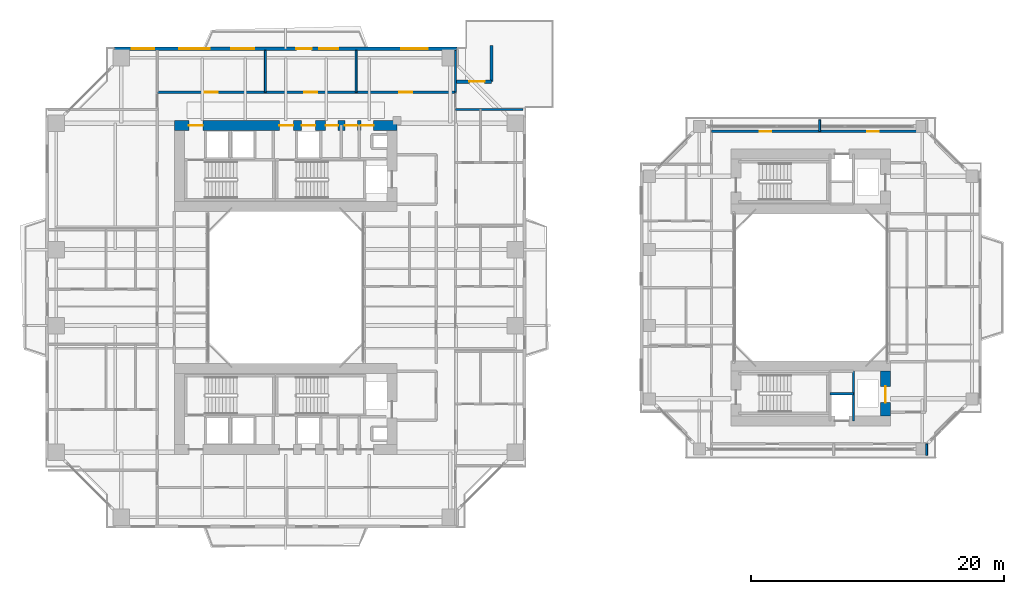
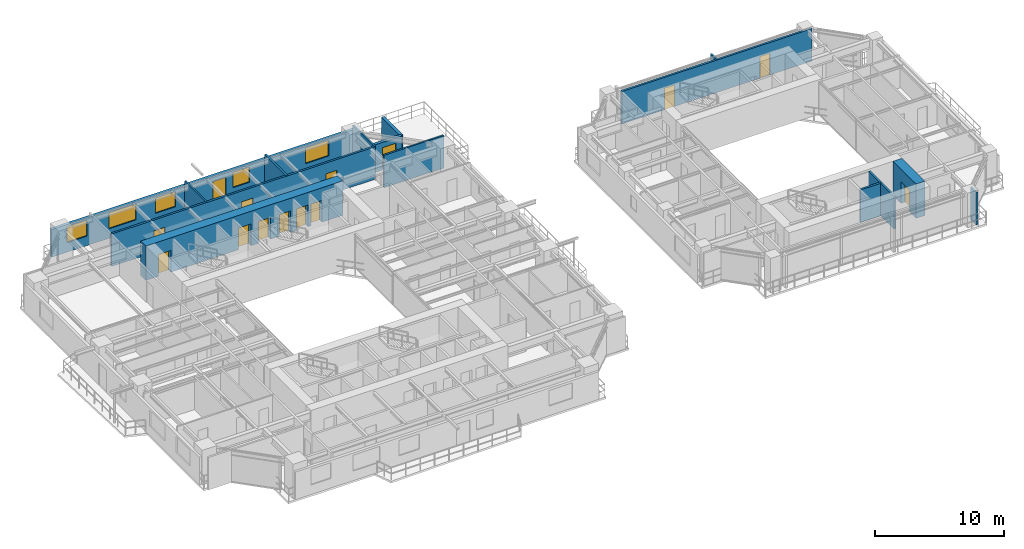
# One storey, part 17 of 23: 15 walls, 14 doors, 5 windows, 19 openings.
"""IFC4 building model written with IfcOpenShell, lengths in metres."""

from ifc_helpers import new_model, si_unit, direction, frame, frame_2d, origin, place, context, subcontext, project, spatial, rectangle, extrude, source, transform, mapped, material, layer, layer_set, type_object, element, fill, save


model = new_model("IFC4")

# Units and contexts
model_context = context("Model", 3, precision=1e-05, world=origin(), true_north=direction((0.0, 1.0)))
body_context = subcontext(model_context, "Body", "Model", "MODEL_VIEW")
ifc_project = project(units=[si_unit("LENGTHUNIT", "METRE"), si_unit("AREAUNIT", "SQUARE_METRE"), si_unit("VOLUMEUNIT", "CUBIC_METRE"), si_unit("PLANEANGLEUNIT", "RADIAN"), si_unit("MASSUNIT", "GRAM", prefix="KILO"), si_unit("THERMODYNAMICTEMPERATUREUNIT", "KELVIN"), si_unit("POWERUNIT", "WATT")], contexts=[model_context])

# Site, building, storey
site_placement = place(None, origin())
site = spatial("IfcSite", under=ifc_project, at=site_placement, CompositionType="ELEMENT")
building_placement = place(site_placement, origin())
building = spatial("IfcBuilding", under=site, at=building_placement, Name="Qiaomeng Ring Towers", CompositionType="ELEMENT")
storey_placement = place(building_placement, frame((0.0, 0.0, 32.75)))
storey = spatial("IfcBuildingStorey", under=building, at=storey_placement, Name="L08", CompositionType="ELEMENT", Elevation=32.75)

# Wall, openings, windows, door
ifc_material_1 = material(Name="Precast concrete C40", Category="concrete")
ifc_layer_1 = layer(ifc_material_1, 0.25, Name="Precast concrete C40")
ifc_layer_set_1 = layer_set([ifc_layer_1], Name="Precast concrete C40")
wall_type_1 = type_object("IfcWallType", Name="ARC-WL-EW1", PredefinedType="STANDARD", material=ifc_layer_set_1)
wall_1_placement = place(storey_placement, frame((5.449951171875, 41.875, 0.0), z_axis=(0.0, 0.0, 1.0), x_axis=(1.0, 0.0, 0.0)))
wall_1 = element("IfcWall", 1, at=wall_1_placement, inside=storey, type_object=wall_type_1, Name="L08 Tower 1 N Exterior Wall", PredefinedType="STANDARD", context=body_context, shape_type="SweptSolid", body=[
    extrude(rectangle(XDim=27.10009765625, YDim=0.25, at=frame_2d((13.550048828125, 0.0))), origin(), (0.0, 0.0, 1.0), 2.610107421875),
])
opening_1_placement = place(wall_1_placement, frame((14.39990234375, 0.0, 0.0)))
opening_1 = element("IfcOpeningElement", 2, at=opening_1_placement, cuts=wall_1, Name="Opening BD1", PredefinedType="OPENING", context=body_context, shape_type="SweptSolid", body=[
    extrude(rectangle(XDim=1.199951171875, YDim=2.10009765625, at=frame_2d((0.60009765625, 1.050048828125))), frame((0.0, 0.135009765625, 0.0), z_axis=(0.0, -1.0, 0.0), x_axis=(1.0, 0.0, 0.0)), (0.0, 0.0, 1.0), 0.27001953125),
])
opening_2_placement = place(wall_1_placement, frame((1.364990234375, 0.0, 0.89990234375)))
opening_2 = element("IfcOpeningElement", 3, at=opening_2_placement, cuts=wall_1, Name="Opening WN1", PredefinedType="OPENING", context=body_context, shape_type="SweptSolid", body=[
    extrude(rectangle(XDim=1.800048828125, YDim=1.5, at=frame_2d((0.89990234375, 0.75))), frame((0.0, 0.135009765625, 0.0), z_axis=(0.0, -1.0, 0.0), x_axis=(1.0, 0.0, 0.0)), (0.0, 0.0, 1.0), 0.27001953125),
])
opening_3_placement = place(wall_1_placement, frame((9.262939453125, 0.0, 0.89990234375)))
opening_3 = element("IfcOpeningElement", 4, at=opening_3_placement, cuts=wall_1, Name="Opening WN1", PredefinedType="OPENING", context=body_context, shape_type="SweptSolid", body=[
    extrude(rectangle(XDim=1.800048828125, YDim=1.449951171875, at=frame_2d((0.89990234375, 0.72509765625))), frame((0.0, 0.135009765625, 0.0), z_axis=(0.0, -1.0, 0.0), x_axis=(1.0, 0.0, 0.0)), (0.0, 0.0, 1.0), 0.27001953125),
])
opening_4_placement = place(wall_1_placement, frame((16.18798828125, 0.0, 0.89990234375)))
opening_4 = element("IfcOpeningElement", 5, at=opening_4_placement, cuts=wall_1, Name="Opening WN2", PredefinedType="OPENING", context=body_context, shape_type="SweptSolid", body=[
    extrude(rectangle(XDim=1.5, YDim=1.449951171875, at=frame_2d((0.75, 0.72509765625))), frame((0.0, 0.135009765625, 0.0), z_axis=(0.0, -1.0, 0.0), x_axis=(1.0, 0.0, 0.0)), (0.0, 0.0, 1.0), 0.27001953125),
])
opening_5_placement = place(wall_1_placement, frame((22.6630859375, 0.0, 0.89990234375)))
opening_5 = element("IfcOpeningElement", 6, at=opening_5_placement, cuts=wall_1, Name="Opening WN4", PredefinedType="OPENING", context=body_context, shape_type="SweptSolid", body=[
    extrude(rectangle(XDim=2.10009765625, YDim=1.47998046875, at=frame_2d((1.050048828125, 0.739990234375))), frame((0.0, 0.135009765625, 0.0), z_axis=(0.0, -1.0, 0.0), x_axis=(1.0, 0.0, 0.0)), (0.0, 0.0, 1.0), 0.27001953125),
])
opening_6_placement = place(wall_1_placement, frame((5.14892578125, 0.0, 0.89990234375)))
opening_6 = element("IfcOpeningElement", 7, at=opening_6_placement, cuts=wall_1, Name="Opening WN6", PredefinedType="OPENING", context=body_context, shape_type="SweptSolid", body=[
    extrude(rectangle(XDim=2.39990234375, YDim=1.5, at=frame_2d((1.199951171875, 0.75))), frame((0.0, 0.135009765625, 0.0), z_axis=(0.0, -1.0, 0.0), x_axis=(1.0, 0.0, 0.0)), (0.0, 0.0, 1.0), 0.27001953125),
])
ifc_material_2 = material(Name="Low-E dark-grey laminated double glazing", Category="glass")
window_type_1 = type_object("IfcWindowType", Name="ARC-WN-2", PartitioningType="DOUBLE_PANEL_VERTICAL", PredefinedType="WINDOW", material=ifc_material_2)
shared_shape_1 = source(origin(), body_context, "Body", "SweptSolid", [
    extrude(rectangle(XDim=1.5, YDim=1.449951171875, at=frame_2d((0.75, 0.72509765625))), frame((0.0, 0.030029296875, 0.0), z_axis=(0.0, -1.0, 0.0), x_axis=(1.0, 0.0, 0.0)), (0.0, 0.0, 1.0), 0.06005859375),
])
window_1_placement = place(opening_4_placement, origin())
window_1 = element("IfcWindow", 8, at=window_1_placement, inside=storey, type_object=window_type_1, Name="L08 Exterior Window WN2", OverallHeight=1.449951171875, OverallWidth=1.5, PartitioningType="DOUBLE_PANEL_VERTICAL", PredefinedType="WINDOW", context=body_context, shape_type="MappedRepresentation", body=[
    mapped(shared_shape_1, transform((0.0, 0.0, 0.0), x_axis=(1.0, 0.0, 0.0), y_axis=(0.0, 1.0, 0.0), z_axis=(0.0, 0.0, 1.0), scale=1.0)),
])
fill(opening_4, window_1)
window_type_2 = type_object("IfcWindowType", Name="ARC-WN-4", PartitioningType="TRIPLE_PANEL_VERTICAL", PredefinedType="WINDOW", material=ifc_material_2)
shared_shape_2 = source(origin(), body_context, "Body", "SweptSolid", [
    extrude(rectangle(XDim=2.10009765625, YDim=1.47998046875, at=frame_2d((1.050048828125, 0.739990234375))), frame((0.0, 0.030029296875, 0.0), z_axis=(0.0, -1.0, 0.0), x_axis=(1.0, 0.0, 0.0)), (0.0, 0.0, 1.0), 0.06005859375),
])
window_2_placement = place(opening_5_placement, origin())
window_2 = element("IfcWindow", 9, at=window_2_placement, inside=storey, type_object=window_type_2, Name="L08 Exterior Window WN4", OverallHeight=1.47998046875, OverallWidth=2.10009765625, PartitioningType="TRIPLE_PANEL_VERTICAL", PredefinedType="WINDOW", context=body_context, shape_type="MappedRepresentation", body=[
    mapped(shared_shape_2, transform((0.0, 0.0, 0.0), x_axis=(1.0, 0.0, 0.0), y_axis=(0.0, 1.0, 0.0), z_axis=(0.0, 0.0, 1.0), scale=1.0)),
])
fill(opening_5, window_2)
window_type_3 = type_object("IfcWindowType", Name="ARC-WN-1", PartitioningType="DOUBLE_PANEL_VERTICAL", PredefinedType="WINDOW", material=ifc_material_2)
shared_shape_3 = source(origin(), body_context, "Body", "SweptSolid", [
    extrude(rectangle(XDim=1.800048828125, YDim=1.449951171875, at=frame_2d((0.89990234375, 0.72509765625))), frame((0.0, 0.030029296875, 0.0), z_axis=(0.0, -1.0, 0.0), x_axis=(1.0, 0.0, 0.0)), (0.0, 0.0, 1.0), 0.06005859375),
])
window_3_placement = place(opening_3_placement, origin())
window_3 = element("IfcWindow", 10, at=window_3_placement, inside=storey, type_object=window_type_3, Name="L08 Exterior Window WN1", OverallHeight=1.449951171875, OverallWidth=1.800048828125, PartitioningType="DOUBLE_PANEL_VERTICAL", PredefinedType="WINDOW", context=body_context, shape_type="MappedRepresentation", body=[
    mapped(shared_shape_3, transform((0.0, 0.0, 0.0), x_axis=(1.0, 0.0, 0.0), y_axis=(0.0, 1.0, 0.0), z_axis=(0.0, 0.0, 1.0), scale=1.0)),
])
fill(opening_3, window_3)
door_type_1 = type_object("IfcDoorType", Name="ARC-DR-BD1", OperationType="NOTDEFINED", PredefinedType="DOOR", material=ifc_material_2)
shared_shape_4 = source(origin(), body_context, "Body", "SweptSolid", [
    extrude(rectangle(XDim=1.199951171875, YDim=2.10009765625, at=frame_2d((0.60009765625, 1.050048828125))), frame((0.0, 0.02490234375, 0.0), z_axis=(0.0, -1.0, 0.0), x_axis=(1.0, 0.0, 0.0)), (0.0, 0.0, 1.0), 0.050048828125),
])
door_1_placement = place(opening_1_placement, origin())
door_1 = element("IfcDoor", 11, at=door_1_placement, inside=storey, type_object=door_type_1, Name="L08 N Balcony Glazed Door", OperationType="SINGLE_SWING_LEFT", OverallHeight=2.10009765625, OverallWidth=1.199951171875, PredefinedType="DOOR", context=body_context, shape_type="MappedRepresentation", body=[
    mapped(shared_shape_4, transform((0.0, 0.0, 0.0), x_axis=(1.0, 0.0, 0.0), y_axis=(0.0, 1.0, 0.0), z_axis=(0.0, 0.0, 1.0), scale=1.0)),
])
fill(opening_1, door_1)
window_type_4 = type_object("IfcWindowType", Name="ARC-WN-6", PartitioningType="TRIPLE_PANEL_VERTICAL", PredefinedType="WINDOW", material=ifc_material_2)
shared_shape_5 = source(origin(), body_context, "Body", "SweptSolid", [
    extrude(rectangle(XDim=2.39990234375, YDim=1.5, at=frame_2d((1.199951171875, 0.75))), frame((0.0, 0.030029296875, 0.0), z_axis=(0.0, -1.0, 0.0), x_axis=(1.0, 0.0, 0.0)), (0.0, 0.0, 1.0), 0.06005859375),
])
window_4_placement = place(opening_6_placement, origin())
window_4 = element("IfcWindow", 12, at=window_4_placement, inside=storey, type_object=window_type_4, Name="L08 Exterior Window WN6", OverallHeight=1.5, OverallWidth=2.39990234375, PartitioningType="TRIPLE_PANEL_VERTICAL", PredefinedType="WINDOW", context=body_context, shape_type="MappedRepresentation", body=[
    mapped(shared_shape_5, transform((0.0, 0.0, 0.0), x_axis=(1.0, 0.0, 0.0), y_axis=(0.0, 1.0, 0.0), z_axis=(0.0, 0.0, 1.0), scale=1.0)),
])
fill(opening_6, window_4)
shared_shape_6 = source(origin(), body_context, "Body", "SweptSolid", [
    extrude(rectangle(XDim=1.800048828125, YDim=1.5, at=frame_2d((0.89990234375, 0.75))), frame((0.0, 0.030029296875, 0.0), z_axis=(0.0, -1.0, 0.0), x_axis=(1.0, 0.0, 0.0)), (0.0, 0.0, 1.0), 0.06005859375),
])
window_5_placement = place(opening_2_placement, origin())
window_5 = element("IfcWindow", 13, at=window_5_placement, inside=storey, type_object=window_type_3, Name="L08 Exterior Window WN6", OverallHeight=1.5, OverallWidth=1.800048828125, PartitioningType="TRIPLE_PANEL_VERTICAL", PredefinedType="WINDOW", context=body_context, shape_type="MappedRepresentation", body=[
    mapped(shared_shape_6, transform((0.0, 0.0, 0.0), x_axis=(1.0, 0.0, 0.0), y_axis=(0.0, 1.0, 0.0), z_axis=(0.0, 0.0, 1.0), scale=1.0)),
])
fill(opening_2, window_5)

# Wall, opening, door
wall_2_placement = place(storey_placement, frame((32.47509765625, 39.27490234375, 0.0), z_axis=(0.0, 0.0, 1.0), x_axis=(1.0, 0.0, 0.0)))
wall_2 = element("IfcWall", 14, at=wall_2_placement, inside=storey, type_object=wall_type_1, Name="L08 Spiral Terrace Wall NE", PredefinedType="STANDARD", context=body_context, shape_type="SweptSolid", body=[
    extrude(rectangle(XDim=2.7998046875, YDim=0.25, at=frame_2d((1.39990234375, 0.0))), origin(), (0.0, 0.0, 1.0), 2.610107421875),
])
opening_7_placement = place(wall_2_placement, frame((1.050048828125, 0.0, 0.0)))
opening_7 = element("IfcOpeningElement", 15, at=opening_7_placement, cuts=wall_2, Name="Opening BD1", PredefinedType="OPENING", context=body_context, shape_type="SweptSolid", body=[
    extrude(rectangle(XDim=1.199951171875, YDim=2.10009765625, at=frame_2d((0.60009765625, 1.050048828125))), frame((0.0, 0.135009765625, 0.0), z_axis=(0.0, -1.0, 0.0), x_axis=(1.0, 0.0, 0.0)), (0.0, 0.0, 1.0), 0.27001953125),
])
door_2_placement = place(opening_7_placement, frame((1.199951171875, 0.0, 0.0), z_axis=(0.0, 0.0, 1.0), x_axis=(-1.0, 0.0, 0.0)))
door_2 = element("IfcDoor", 16, at=door_2_placement, inside=storey, type_object=door_type_1, Name="L08 Spiral Sky Terrace Door NE", OperationType="SINGLE_SWING_LEFT", OverallHeight=2.10009765625, OverallWidth=1.199951171875, PredefinedType="DOOR", context=body_context, shape_type="MappedRepresentation", body=[
    mapped(shared_shape_4, transform((0.0, 0.0, 0.0), x_axis=(1.0, 0.0, 0.0), y_axis=(0.0, 1.0, 0.0), z_axis=(0.0, 0.0, 1.0), scale=1.0)),
])
fill(opening_7, door_2)

# Wall
wall_3_placement = place(storey_placement, frame((35.27490234375, 39.27490234375, 0.0), z_axis=(0.0, 0.0, 1.0), x_axis=(0.0, 1.0, 0.0)))
element("IfcWall", 17, at=wall_3_placement, inside=storey, type_object=wall_type_1, Name="L08 Spiral Terrace Return Wall NE", PredefinedType="STANDARD", context=body_context, shape_type="SweptSolid", body=[
    extrude(rectangle(XDim=2.875, YDim=0.25, at=frame_2d((1.4375, 0.0))), origin(), (0.0, 0.0, 1.0), 2.610107421875),
])

# Wall, openings, doors
ifc_material_3 = material(Name="Autoclaved aerated concrete block", Category="concrete")
ifc_layer_2 = layer(ifc_material_3, 0.179931640625, Name="Autoclaved aerated concrete block")
ifc_layer_set_2 = layer_set([ifc_layer_2], Name="Autoclaved aerated concrete block")
wall_type_2 = type_object("IfcWallType", Name="ARC-WL-PW2", PredefinedType="PARTITIONING", material=ifc_layer_set_2)
wall_4_placement = place(storey_placement, frame((8.85009765625, 38.43994140625, 0.0), z_axis=(0.0, 0.0, 1.0), x_axis=(1.0, 0.0, 0.0)))
wall_4 = element("IfcWall", 18, at=wall_4_placement, inside=storey, type_object=wall_type_2, Name="L08 Interior Wall PW2", PredefinedType="PARTITIONING", context=body_context, shape_type="SweptSolid", body=[
    extrude(rectangle(XDim=23.56982421875, YDim=0.179931640625, at=frame_2d((11.784912109375, 0.0))), origin(), (0.0, 0.0, 1.0), 3.070068359375),
])
opening_8_placement = place(wall_4_placement, frame((3.77001953125, 0.0, 0.0)))
opening_8 = element("IfcOpeningElement", 19, at=opening_8_placement, cuts=wall_4, Name="Opening FD4", PredefinedType="OPENING", context=body_context, shape_type="SweptSolid", body=[
    extrude(rectangle(XDim=1.0, YDim=2.050048828125, at=frame_2d((0.5, 1.02490234375))), frame((0.0, 0.099853515625, 0.0), z_axis=(0.0, -1.0, 0.0), x_axis=(1.0, 0.0, 0.0)), (0.0, 0.0, 1.0), 0.199951171875),
])
opening_9_placement = place(wall_4_placement, frame((11.625, 0.0, 0.0)))
opening_9 = element("IfcOpeningElement", 20, at=opening_9_placement, cuts=wall_4, Name="Opening FD4", PredefinedType="OPENING", context=body_context, shape_type="SweptSolid", body=[
    extrude(rectangle(XDim=1.0, YDim=2.050048828125, at=frame_2d((0.5, 1.02490234375))), frame((0.0, 0.099853515625, 0.0), z_axis=(0.0, -1.0, 0.0), x_axis=(1.0, 0.0, 0.0)), (0.0, 0.0, 1.0), 0.199951171875),
])
opening_10_placement = place(wall_4_placement, frame((19.139892578125, 0.0, 0.0)))
opening_10 = element("IfcOpeningElement", 21, at=opening_10_placement, cuts=wall_4, Name="Opening FD4", PredefinedType="OPENING", context=body_context, shape_type="SweptSolid", body=[
    extrude(rectangle(XDim=1.0, YDim=2.050048828125, at=frame_2d((0.5, 1.02490234375))), frame((0.0, 0.099853515625, 0.0), z_axis=(0.0, -1.0, 0.0), x_axis=(1.0, 0.0, 0.0)), (0.0, 0.0, 1.0), 0.199951171875),
])
ifc_material_4 = material(Name="Engineered fire-rated oak timber", Category="wood")
door_type_2 = type_object("IfcDoorType", Name="ARC-DR-FD4", OperationType="NOTDEFINED", PredefinedType="DOOR", material=ifc_material_4)
shared_shape_7 = source(origin(), body_context, "Body", "SweptSolid", [
    extrude(rectangle(XDim=1.0, YDim=2.050048828125, at=frame_2d((0.5, 1.02490234375))), frame((0.0, 0.02490234375, 0.0), z_axis=(0.0, -1.0, 0.0), x_axis=(1.0, 0.0, 0.0)), (0.0, 0.0, 1.0), 0.050048828125),
])
door_3_placement = place(opening_8_placement, origin())
door_3 = element("IfcDoor", 22, at=door_3_placement, inside=storey, type_object=door_type_2, Name="L08 Door FD4", OperationType="SINGLE_SWING_RIGHT", OverallHeight=2.050048828125, OverallWidth=1.0, PredefinedType="DOOR", context=body_context, shape_type="MappedRepresentation", body=[
    mapped(shared_shape_7, transform((0.0, 0.0, 0.0), x_axis=(1.0, 0.0, 0.0), y_axis=(0.0, 1.0, 0.0), z_axis=(0.0, 0.0, 1.0), scale=1.0)),
])
fill(opening_8, door_3)
door_4_placement = place(opening_9_placement, origin())
door_4 = element("IfcDoor", 23, at=door_4_placement, inside=storey, type_object=door_type_2, Name="L08 Door FD4", OperationType="SINGLE_SWING_LEFT", OverallHeight=2.050048828125, OverallWidth=1.0, PredefinedType="DOOR", context=body_context, shape_type="MappedRepresentation", body=[
    mapped(shared_shape_7, transform((0.0, 0.0, 0.0), x_axis=(1.0, 0.0, 0.0), y_axis=(0.0, 1.0, 0.0), z_axis=(0.0, 0.0, 1.0), scale=1.0)),
])
fill(opening_9, door_4)
door_5_placement = place(opening_10_placement, origin())
door_5 = element("IfcDoor", 24, at=door_5_placement, inside=storey, type_object=door_type_2, Name="L08 Door FD4", OperationType="SINGLE_SWING_RIGHT", OverallHeight=2.050048828125, OverallWidth=1.0, PredefinedType="DOOR", context=body_context, shape_type="MappedRepresentation", body=[
    mapped(shared_shape_7, transform((0.0, 0.0, 0.0), x_axis=(1.0, 0.0, 0.0), y_axis=(0.0, 1.0, 0.0), z_axis=(0.0, 0.0, 1.0), scale=1.0)),
])
fill(opening_10, door_5)

wall_5_placement = place(storey_placement, frame((52.64990234375, 35.35009765625, 0.0), z_axis=(0.0, 0.0, 1.0), x_axis=(1.0, 0.0, 0.0)))
wall_5 = element("IfcWall", 25, at=wall_5_placement, inside=storey, type_object=wall_type_2, Name="L08 Interior Wall PW2", PredefinedType="PARTITIONING", context=body_context, shape_type="SweptSolid", body=[
    extrude(rectangle(XDim=17.0, YDim=0.179931640625, at=frame_2d((8.5, 0.0))), origin(), (0.0, 0.0, 1.0), 3.070068359375),
])
opening_11_placement = place(wall_5_placement, frame((3.824951171875, 0.0, 0.0)))
opening_11 = element("IfcOpeningElement", 26, at=opening_11_placement, cuts=wall_5, Name="Opening ID1", PredefinedType="OPENING", context=body_context, shape_type="SweptSolid", body=[
    extrude(rectangle(XDim=0.89990234375, YDim=2.050048828125, at=frame_2d((0.449951171875, 1.02490234375))), frame((0.0, 0.099853515625, 0.0), z_axis=(0.0, -1.0, 0.0), x_axis=(1.0, 0.0, 0.0)), (0.0, 0.0, 1.0), 0.199951171875),
])
opening_12_placement = place(wall_5_placement, frame((12.324951171875, 0.0, 0.0)))
opening_12 = element("IfcOpeningElement", 27, at=opening_12_placement, cuts=wall_5, Name="Opening ID1", PredefinedType="OPENING", context=body_context, shape_type="SweptSolid", body=[
    extrude(rectangle(XDim=0.89990234375, YDim=2.050048828125, at=frame_2d((0.449951171875, 1.02490234375))), frame((0.0, 0.099853515625, 0.0), z_axis=(0.0, -1.0, 0.0), x_axis=(1.0, 0.0, 0.0)), (0.0, 0.0, 1.0), 0.199951171875),
])
ifc_material_5 = material(Name="Engineered oak timber", Category="wood")
door_type_3 = type_object("IfcDoorType", Name="ARC-DR-ID1", OperationType="NOTDEFINED", PredefinedType="DOOR", material=ifc_material_5)
shared_shape_8 = source(origin(), body_context, "Body", "SweptSolid", [
    extrude(rectangle(XDim=0.89990234375, YDim=2.050048828125, at=frame_2d((0.449951171875, 1.02490234375))), frame((0.0, 0.02490234375, 0.0), z_axis=(0.0, -1.0, 0.0), x_axis=(1.0, 0.0, 0.0)), (0.0, 0.0, 1.0), 0.050048828125),
])
door_6_placement = place(opening_11_placement, origin())
door_6 = element("IfcDoor", 28, at=door_6_placement, inside=storey, type_object=door_type_3, Name="L08 Door ID1", OperationType="SINGLE_SWING_RIGHT", OverallHeight=2.050048828125, OverallWidth=0.89990234375, PredefinedType="DOOR", context=body_context, shape_type="MappedRepresentation", body=[
    mapped(shared_shape_8, transform((0.0, 0.0, 0.0), x_axis=(1.0, 0.0, 0.0), y_axis=(0.0, 1.0, 0.0), z_axis=(0.0, 0.0, 1.0), scale=1.0)),
])
fill(opening_11, door_6)
door_7_placement = place(opening_12_placement, origin())
door_7 = element("IfcDoor", 29, at=door_7_placement, inside=storey, type_object=door_type_3, Name="L08 Door ID1", OperationType="SINGLE_SWING_LEFT", OverallHeight=2.050048828125, OverallWidth=0.89990234375, PredefinedType="DOOR", context=body_context, shape_type="MappedRepresentation", body=[
    mapped(shared_shape_8, transform((0.0, 0.0, 0.0), x_axis=(1.0, 0.0, 0.0), y_axis=(0.0, 1.0, 0.0), z_axis=(0.0, 0.0, 1.0), scale=1.0)),
])
fill(opening_12, door_7)

# Walls
ifc_material_6 = material(Name="Gypsum fireboard steel-stud partition", Category="steel")
ifc_layer_3 = layer(ifc_material_6, 0.14990234375, Name="Gypsum fireboard steel-stud partition")
ifc_layer_set_3 = layer_set([ifc_layer_3], Name="Gypsum fireboard steel-stud partition")
wall_type_3 = type_object("IfcWallType", Name="ARC-WL-PW3", PredefinedType="PARTITIONING", material=ifc_layer_set_3)
for number, where, z_axis, x_axis, name in (
    (30, (17.389892578125, 38.43994140625, 0.0), (0.0, 0.0, 1.0), (0.0, 1.0, 0.0), "L08 Interior Wall PW3"),
    (31, (24.56005859375, 38.43994140625, 0.0), (0.0, 0.0, 1.0), (0.0, 1.0, 0.0), "L08 Interior Wall PW3"),
    (32, (32.419921875, 38.43994140625, 0.0), (0.0, 0.0, 1.0), (0.0, 1.0, 0.0), "L08 Interior Wall PW3"),
):
    element("IfcWall", number, at=place(storey_placement, frame(where, z_axis=z_axis, x_axis=x_axis)), inside=storey, type_object=wall_type_3, Name=name, PredefinedType="PARTITIONING", context=body_context, shape_type="SweptSolid", body=[
        extrude(rectangle(XDim=3.31005859375, YDim=0.14990234375, at=frame_2d((1.655029296875, 0.0))), origin(), (0.0, 0.0, 1.0), 3.070068359375),
    ])
wall_6_placement = place(storey_placement, frame((32.419921875, 37.080078125, 0.0), z_axis=(0.0, 0.0, 1.0), x_axis=(1.0, 0.0, 0.0)))
element("IfcWall", 33, at=wall_6_placement, inside=storey, type_object=wall_type_3, Name="L08 Interior Wall PW3", PredefinedType="PARTITIONING", context=body_context, shape_type="SweptSolid", body=[
    extrude(rectangle(XDim=5.330078125, YDim=0.14990234375, at=frame_2d((2.6650390625, 0.0))), origin(), (0.0, 0.0, 1.0), 3.070068359375),
])
for number, where, z_axis, x_axis, name in (
    (34, (61.199951171875, 35.35009765625, 0.0), (0.0, 0.0, 1.0), (0.0, 1.0, 0.0), "L08 Interior Wall PW3"),
    (35, (69.64990234375, 9.75, 0.0), (0.0, 0.0, 1.0), (0.0, 1.0, 0.0), "L08 Interior Wall PW3"),
):
    element("IfcWall", number, at=place(storey_placement, frame(where, z_axis=z_axis, x_axis=x_axis)), inside=storey, type_object=wall_type_3, Name=name, PredefinedType="PARTITIONING", context=body_context, shape_type="SweptSolid", body=[
        extrude(rectangle(XDim=0.89990234375, YDim=0.14990234375, at=frame_2d((0.449951171875, 0.0))), origin(), (0.0, 0.0, 1.0), 3.070068359375),
    ])
ifc_material_7 = material(Name="Concrete C40", Category="concrete")
ifc_layer_4 = layer(ifc_material_7, 0.199951171875, Name="Concrete C40")
ifc_layer_set_4 = layer_set([ifc_layer_4], Name="Concrete C40")
wall_type_4 = type_object("IfcWallType", Name="STR-WL-STSHAFT", PredefinedType="SHEAR", material=ifc_layer_set_4)
wall_7_placement = place(storey_placement, frame((63.8798828125, 12.449951171875, 0.0), z_axis=(0.0, 0.0, 1.0), x_axis=(0.0, 1.0, 0.0)))
element("IfcWall", 36, at=wall_7_placement, inside=storey, type_object=wall_type_4, Name="L08 Companion Lift Shaft East Wall S", PredefinedType="SHEAR", context=body_context, shape_type="SweptSolid", body=[
    extrude(rectangle(XDim=3.949951171875, YDim=0.179931640625, at=frame_2d((1.97509765625, 0.0))), origin(), (0.0, 0.0, 1.0), 3.070068359375),
])
wall_8_placement = place(storey_placement, frame((62.02001953125, 14.6201171875, 0.0), z_axis=(0.0, 0.0, 1.0), x_axis=(1.0, 0.0, 0.0)))
element("IfcWall", 37, at=wall_8_placement, inside=storey, type_object=wall_type_4, Name="L08 Companion Lift Shaft Divider Wall S", PredefinedType="SHEAR", context=body_context, shape_type="SweptSolid", body=[
    extrude(rectangle(XDim=1.85986328125, YDim=0.179931640625, at=frame_2d((0.929931640625, 0.0))), origin(), (0.0, 0.0, 1.0), 3.070068359375),
])

# Wall, openings, doors
ifc_material_8 = material(Name="Concrete C60", Category="concrete")
ifc_layer_5 = layer(ifc_material_8, 0.800048828125, Name="Concrete C60")
ifc_layer_set_5 = layer_set([ifc_layer_5], Name="Concrete C60")
wall_type_5 = type_object("IfcWallType", Name="STR-WL-SW1", PredefinedType="SHEAR", material=ifc_layer_set_5)
wall_9_placement = place(storey_placement, frame((10.199951171875, 35.800048828125, 0.0), z_axis=(0.0, 0.0, 1.0), x_axis=(1.0, 0.0, 0.0)))
wall_9 = element("IfcWall", 38, at=wall_9_placement, inside=storey, type_object=wall_type_5, Name="L08 T1NC north core shear wall", PredefinedType="SHEAR", context=body_context, shape_type="SweptSolid", body=[
    extrude(rectangle(XDim=17.60009765625, YDim=0.800048828125, at=frame_2d((8.800048828125, 0.0))), origin(), (0.0, 0.0, 1.0), 3.25),
])
opening_13_placement = place(wall_9_placement, frame((1.14990234375, 0.0, 0.0)))
opening_13 = element("IfcOpeningElement", 39, at=opening_13_placement, cuts=wall_9, Name="Opening FD3", PredefinedType="OPENING", context=body_context, shape_type="SweptSolid", body=[
    extrude(rectangle(XDim=1.10009765625, YDim=2.050048828125, at=frame_2d((0.550048828125, 1.02490234375))), frame((0.0, 0.409912109375, 0.0), z_axis=(0.0, -1.0, 0.0), x_axis=(1.0, 0.0, 0.0)), (0.0, 0.0, 1.0), 0.820068359375),
])
opening_14_placement = place(wall_9_placement, frame((8.300048828125, 0.0, 0.0)))
opening_14 = element("IfcOpeningElement", 40, at=opening_14_placement, cuts=wall_9, Name="Opening FD3", PredefinedType="OPENING", context=body_context, shape_type="SweptSolid", body=[
    extrude(rectangle(XDim=1.10009765625, YDim=2.050048828125, at=frame_2d((0.550048828125, 1.02490234375))), frame((0.0, 0.409912109375, 0.0), z_axis=(0.0, -1.0, 0.0), x_axis=(1.0, 0.0, 0.0)), (0.0, 0.0, 1.0), 0.820068359375),
])
opening_15_placement = place(wall_9_placement, frame((10.050048828125, 0.0, 0.0)))
opening_15 = element("IfcOpeningElement", 41, at=opening_15_placement, cuts=wall_9, Name="Opening LD1", PredefinedType="OPENING", context=body_context, shape_type="SweptSolid", body=[
    extrude(rectangle(XDim=1.10009765625, YDim=2.050048828125, at=frame_2d((0.550048828125, 1.02490234375))), frame((0.0, 0.409912109375, 0.0), z_axis=(0.0, -1.0, 0.0), x_axis=(1.0, 0.0, 0.0)), (0.0, 0.0, 1.0), 0.820068359375),
])
opening_16_placement = place(wall_9_placement, frame((14.739990234375, 0.0, 0.0)))
opening_16 = element("IfcOpeningElement", 42, at=opening_16_placement, cuts=wall_9, Name="Opening FD1", PredefinedType="OPENING", context=body_context, shape_type="SweptSolid", body=[
    extrude(rectangle(XDim=1.0, YDim=2.050048828125, at=frame_2d((0.5, 1.02490234375))), frame((0.0, 0.409912109375, 0.0), z_axis=(0.0, -1.0, 0.0), x_axis=(1.0, 0.0, 0.0)), (0.0, 0.0, 1.0), 0.820068359375),
])
opening_17_placement = place(wall_9_placement, frame((11.949951171875, 0.0, 0.0)))
opening_17 = element("IfcOpeningElement", 43, at=opening_17_placement, cuts=wall_9, Name="Opening FD1", PredefinedType="OPENING", context=body_context, shape_type="SweptSolid", body=[
    extrude(rectangle(XDim=1.0, YDim=2.050048828125, at=frame_2d((0.5, 1.02490234375))), frame((0.0, 0.409912109375, 0.0), z_axis=(0.0, -1.0, 0.0), x_axis=(1.0, 0.0, 0.0)), (0.0, 0.0, 1.0), 0.820068359375),
])
opening_18_placement = place(wall_9_placement, frame((13.485107421875, 0.0, 0.0)))
opening_18 = element("IfcOpeningElement", 44, at=opening_18_placement, cuts=wall_9, Name="Opening FD1", PredefinedType="OPENING", context=body_context, shape_type="SweptSolid", body=[
    extrude(rectangle(XDim=1.0, YDim=2.050048828125, at=frame_2d((0.5, 1.02490234375))), frame((0.0, 0.409912109375, 0.0), z_axis=(0.0, -1.0, 0.0), x_axis=(1.0, 0.0, 0.0)), (0.0, 0.0, 1.0), 0.820068359375),
])
ifc_material_9 = material(Name="Galvanised steel", Category="steel")
door_type_4 = type_object("IfcDoorType", Name="ARC-DR-FD3", OperationType="NOTDEFINED", PredefinedType="DOOR", material=ifc_material_9)
shared_shape_9 = source(origin(), body_context, "Body", "SweptSolid", [
    extrude(rectangle(XDim=1.10009765625, YDim=2.050048828125, at=frame_2d((0.550048828125, 1.02490234375))), frame((0.0, 0.02490234375, 0.0), z_axis=(0.0, -1.0, 0.0), x_axis=(1.0, 0.0, 0.0)), (0.0, 0.0, 1.0), 0.050048828125),
])
door_8_placement = place(opening_13_placement, origin())
door_8 = element("IfcDoor", 45, at=door_8_placement, inside=storey, type_object=door_type_4, Name="L08 Stair ST1 Lobby Door", OperationType="SINGLE_SWING_RIGHT", OverallHeight=2.050048828125, OverallWidth=1.10009765625, PredefinedType="DOOR", context=body_context, shape_type="MappedRepresentation", body=[
    mapped(shared_shape_9, transform((0.0, 0.0, 0.0), x_axis=(1.0, 0.0, 0.0), y_axis=(0.0, 1.0, 0.0), z_axis=(0.0, 0.0, 1.0), scale=1.0)),
])
fill(opening_13, door_8)
door_9_placement = place(opening_14_placement, origin())
door_9 = element("IfcDoor", 46, at=door_9_placement, inside=storey, type_object=door_type_4, Name="L08 Stair ST2 Lobby Door", OperationType="SINGLE_SWING_RIGHT", OverallHeight=2.050048828125, OverallWidth=1.10009765625, PredefinedType="DOOR", context=body_context, shape_type="MappedRepresentation", body=[
    mapped(shared_shape_9, transform((0.0, 0.0, 0.0), x_axis=(1.0, 0.0, 0.0), y_axis=(0.0, 1.0, 0.0), z_axis=(0.0, 0.0, 1.0), scale=1.0)),
])
fill(opening_14, door_9)
ifc_material_10 = material(Name="Stainless steel 316", Category="steel")
door_type_5 = type_object("IfcDoorType", Name="ARC-DR-LD1", OperationType="NOTDEFINED", PredefinedType="DOOR", material=ifc_material_10)
door_10_placement = place(opening_15_placement, origin())
door_10 = element("IfcDoor", 47, at=door_10_placement, inside=storey, type_object=door_type_5, Name="L08 Low-Zone Lift LP1 Landing Door", OperationType="SLIDING_TO_LEFT", OverallHeight=2.050048828125, OverallWidth=1.10009765625, PredefinedType="DOOR", context=body_context, shape_type="MappedRepresentation", body=[
    mapped(shared_shape_9, transform((0.0, 0.0, 0.0), x_axis=(1.0, 0.0, 0.0), y_axis=(0.0, 1.0, 0.0), z_axis=(0.0, 0.0, 1.0), scale=1.0)),
])
fill(opening_15, door_10)
door_type_6 = type_object("IfcDoorType", Name="ARC-DR-FD1", OperationType="NOTDEFINED", PredefinedType="DOOR", material=ifc_material_9)
door_11_placement = place(opening_16_placement, origin())
door_11 = element("IfcDoor", 48, at=door_11_placement, inside=storey, type_object=door_type_6, Name="L08 North Electrical Riser Door", OperationType="SINGLE_SWING_RIGHT", OverallHeight=2.050048828125, OverallWidth=1.0, PredefinedType="DOOR", context=body_context, shape_type="MappedRepresentation", body=[
    mapped(shared_shape_7, transform((0.0, 0.0, 0.0), x_axis=(1.0, 0.0, 0.0), y_axis=(0.0, 1.0, 0.0), z_axis=(0.0, 0.0, 1.0), scale=1.0)),
])
fill(opening_16, door_11)
door_12_placement = place(opening_17_placement, origin())
door_12 = element("IfcDoor", 49, at=door_12_placement, inside=storey, type_object=door_type_6, Name="L08 North Tea Pantry Door", OperationType="SINGLE_SWING_RIGHT", OverallHeight=2.050048828125, OverallWidth=1.0, PredefinedType="DOOR", context=body_context, shape_type="MappedRepresentation", body=[
    mapped(shared_shape_7, transform((0.0, 0.0, 0.0), x_axis=(1.0, 0.0, 0.0), y_axis=(0.0, 1.0, 0.0), z_axis=(0.0, 0.0, 1.0), scale=1.0)),
])
fill(opening_17, door_12)
door_13_placement = place(opening_18_placement, origin())
door_13 = element("IfcDoor", 50, at=door_13_placement, inside=storey, type_object=door_type_6, Name="L08 North Cleaners Cupboard Door", OperationType="SINGLE_SWING_LEFT", OverallHeight=2.050048828125, OverallWidth=1.0, PredefinedType="DOOR", context=body_context, shape_type="MappedRepresentation", body=[
    mapped(shared_shape_7, transform((0.0, 0.0, 0.0), x_axis=(1.0, 0.0, 0.0), y_axis=(0.0, 1.0, 0.0), z_axis=(0.0, 0.0, 1.0), scale=1.0)),
])
fill(opening_18, door_13)

# Wall, opening, door
wall_10_placement = place(storey_placement, frame((66.39990234375, 12.85009765625, 0.0), z_axis=(0.0, 0.0, 1.0), x_axis=(0.0, 1.0, 0.0)))
wall_10 = element("IfcWall", 51, at=wall_10_placement, inside=storey, type_object=wall_type_5, Name="L08 T2SC east core shear wall", PredefinedType="SHEAR", context=body_context, shape_type="SweptSolid", body=[
    extrude(rectangle(XDim=3.5498046875, YDim=0.800048828125, at=frame_2d((1.77490234375, 0.0))), origin(), (0.0, 0.0, 1.0), 3.25),
])
opening_19_placement = place(wall_10_placement, frame((1.050048828125, 0.0, 0.0)))
opening_19 = element("IfcOpeningElement", 52, at=opening_19_placement, cuts=wall_10, Name="Opening LD2", PredefinedType="OPENING", context=body_context, shape_type="SweptSolid", body=[
    extrude(rectangle(XDim=1.300048828125, YDim=2.050048828125, at=frame_2d((0.64990234375, 1.02490234375))), frame((0.0, 0.409912109375, 0.0), z_axis=(0.0, -1.0, 0.0), x_axis=(1.0, 0.0, 0.0)), (0.0, 0.0, 1.0), 0.820068359375),
])
door_type_7 = type_object("IfcDoorType", Name="ARC-DR-LD2", OperationType="NOTDEFINED", PredefinedType="DOOR", material=ifc_material_10)
shared_shape_10 = source(origin(), body_context, "Body", "SweptSolid", [
    extrude(rectangle(XDim=1.300048828125, YDim=2.050048828125, at=frame_2d((0.64990234375, 1.02490234375))), frame((0.0, 0.02490234375, 0.0), z_axis=(0.0, -1.0, 0.0), x_axis=(1.0, 0.0, 0.0)), (0.0, 0.0, 1.0), 0.050048828125),
])
door_14_placement = place(opening_19_placement, origin())
door_14 = element("IfcDoor", 53, at=door_14_placement, inside=storey, type_object=door_type_7, Name="L08 Firefighting Lift FL4 Landing Door", OperationType="SLIDING_TO_RIGHT", OverallHeight=2.050048828125, OverallWidth=1.300048828125, PredefinedType="DOOR", context=body_context, shape_type="MappedRepresentation", body=[
    mapped(shared_shape_10, transform((0.0, 0.0, 0.0), x_axis=(1.0, 0.0, 0.0), y_axis=(0.0, 1.0, 0.0), z_axis=(0.0, 0.0, 1.0), scale=1.0)),
])
fill(opening_19, door_14)

save(model, "model.ifc")
